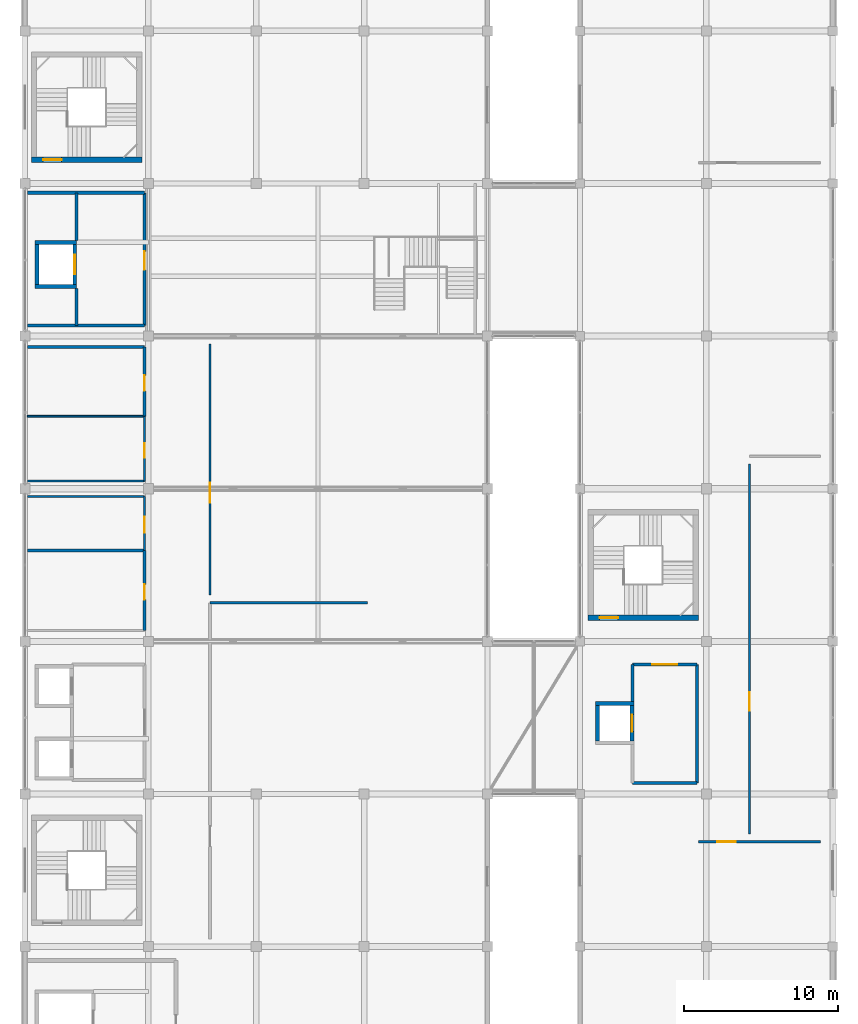
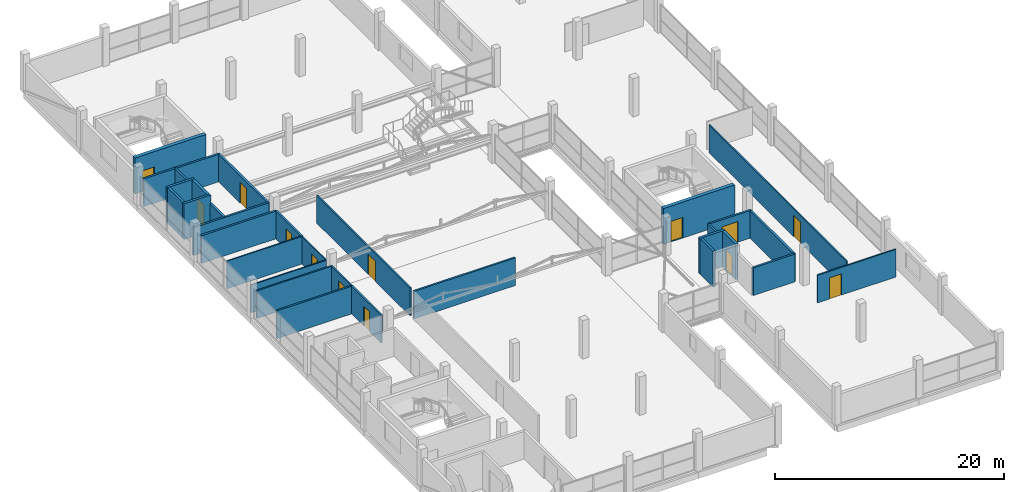
# One storey, part 58 of 70: 31 walls, 13 doors, 13 openings.
"""IFC4 building model written with IfcOpenShell, lengths in metres."""

import ifcopenshell
import ifcopenshell.guid

model = None  # the IFC model being written
_history = None  # IfcOwnerHistory: only IFC2X3 demands one
_inside = {}  # id of a spatial element -> (the spatial element, [elements in it])
_under = {}  # id of a project, library or spatial element -> (it, [spatial elements below it])
_declared = {}  # id of a project -> (the project, [libraries it declares])
_typed = {}  # id of a type object -> (the type object, [elements of that type])
_made_of = {}  # id of a material, layer set ... -> (it, [elements and type objects made of it])


def new_model(schema):
    """Start an empty IFC model of exactly this schema.

    Asked for "IFC4X3", IfcOpenShell would pick the latest addendum, in which some entities
    have other attributes; the version numbers below select the first issue.
    IFC2X3 requires an IfcOwnerHistory on every rooted entity: one is made here for all.
    """
    global model, _history
    if schema == "IFC4X3":
        model = ifcopenshell.file(schema_version=(4, 3, 0, 0))
    else:
        model = ifcopenshell.file(schema=schema)
    _inside.clear()
    _under.clear()
    _declared.clear()
    _typed.clear()
    _made_of.clear()
    _history = None
    if model.schema == "IFC2X3":
        org = make("IfcOrganization", Name="unknown")
        user = make(
            "IfcPersonAndOrganization",
            ThePerson=make("IfcPerson", FamilyName="unknown"),
            TheOrganization=org,
        )
        app = make(
            "IfcApplication",
            ApplicationDeveloper=org,
            Version="unknown",
            ApplicationFullName="unknown",
            ApplicationIdentifier="unknown",
        )
        _history = make(
            "IfcOwnerHistory",
            OwningUser=user,
            OwningApplication=app,
            ChangeAction="ADDED",
            CreationDate=0,
        )
    return model


def make(cls, **values):
    """One entity of the class cls with the attributes given. An attribute that is None is left unset."""
    return model.create_entity(
        cls, **{name: value for name, value in values.items() if value is not None}
    )


def rooted(cls, **values):
    """An entity with a GlobalId (a new one), such as an element, a storey or a relation."""
    return make(cls, GlobalId=ifcopenshell.guid.new(), OwnerHistory=_history, **values)


def si_unit(unit_type, name, prefix=None):
    """IfcSIUnit, for example si_unit("LENGTHUNIT", "METRE", prefix="MILLI")."""
    return make("IfcSIUnit", UnitType=unit_type, Prefix=prefix, Name=name)


def assignment(units):
    """IfcUnitAssignment: the units of a project."""
    return None if units is None else make("IfcUnitAssignment", Units=units)


def point(xyz):
    """IfcCartesianPoint."""
    return None if xyz is None else make("IfcCartesianPoint", Coordinates=xyz)


def direction(xyz):
    """IfcDirection."""
    return None if xyz is None else make("IfcDirection", DirectionRatios=xyz)


def frame(location, z_axis=None, x_axis=None):
    """IfcAxis2Placement3D, a coordinate frame: its origin and axes. An axis left out is left unset."""
    return make(
        "IfcAxis2Placement3D",
        Location=point(location),
        Axis=direction(z_axis),
        RefDirection=direction(x_axis),
    )


def frame_2d(location, x_axis=None):
    """IfcAxis2Placement2D, a coordinate frame in the plane: its origin and x axis."""
    return make(
        "IfcAxis2Placement2D", Location=point(location), RefDirection=direction(x_axis)
    )


def origin():
    """The frame at (0, 0, 0) with its axes left unset."""
    return frame((0.0, 0.0, 0.0))


def place(relative_to, where):
    """IfcLocalPlacement: puts the frame where relative to a parent placement (None: the world)."""
    return make(
        "IfcLocalPlacement", PlacementRelTo=relative_to, RelativePlacement=where
    )


def context(
    kind, dimensions, precision=None, world=None, true_north=None, identifier=None
):
    """IfcGeometricRepresentationContext, for example the 3D "Model" context."""
    return make(
        "IfcGeometricRepresentationContext",
        ContextIdentifier=identifier,
        ContextType=kind,
        CoordinateSpaceDimension=dimensions,
        Precision=precision,
        WorldCoordinateSystem=world,
        TrueNorth=true_north,
    )


def subcontext(parent, identifier, kind, view, scale=None):
    """IfcGeometricRepresentationSubContext, for example "Body" below "Model"."""
    return make(
        "IfcGeometricRepresentationSubContext",
        ContextIdentifier=identifier,
        ContextType=kind,
        ParentContext=parent,
        TargetScale=scale,
        TargetView=view,
    )


def project(units=None, contexts=None):
    """IfcProject with its units and contexts."""
    return rooted(
        "IfcProject",
        Name="project",
        RepresentationContexts=contexts,
        UnitsInContext=assignment(units),
    )


def spatial(cls, under=None, at=None, **own):
    """A site, building, storey or space (cls), placed at a placement, below another one or the project."""
    s = rooted(cls, ObjectPlacement=at, **own)
    if under is not None:
        _under.setdefault(under.id(), (under, []))[1].append(s)
    return s


def profile(cls, at=None, kind="AREA", **sizes):
    """A parametric profile (cls). Its sizes go by their IFC names, for example OverallWidth=200.0."""
    return make(cls, ProfileType=kind, Position=at, **sizes)


def rectangle(**sizes):
    """IfcRectangleProfileDef."""
    return profile("IfcRectangleProfileDef", **sizes)


def extrude(swept, where, along, depth):
    """IfcExtrudedAreaSolid: the profile swept, set in the frame where, extruded along a direction by depth."""
    return make(
        "IfcExtrudedAreaSolid",
        SweptArea=swept,
        Position=where,
        ExtrudedDirection=direction(along),
        Depth=depth,
    )


def shape(context_of_items, identifier, shape_type, items):
    """IfcShapeRepresentation: the items that make up one representation, for example the "Body"."""
    return make(
        "IfcShapeRepresentation",
        ContextOfItems=context_of_items,
        RepresentationIdentifier=identifier,
        RepresentationType=shape_type,
        Items=items,
    )


def material(Name=None, Category=None):
    """IfcMaterial."""
    return make("IfcMaterial", Name=Name, Category=Category)


def layer(
    of_material, thickness, ventilated=None, Name=None, Category=None, Priority=None
):
    """IfcMaterialLayer: one layer of a wall or slab, of a material (None: an air gap)."""
    return make(
        "IfcMaterialLayer",
        Material=of_material,
        LayerThickness=thickness,
        IsVentilated=ventilated,
        Name=Name,
        Category=Category,
        Priority=Priority,
    )


def layer_set(layers, Name=None):
    """IfcMaterialLayerSet."""
    return make("IfcMaterialLayerSet", MaterialLayers=layers, LayerSetName=Name)


def made_of(thing, what):
    """Note that an element or type object is made of a material, layer set ...; save() writes the relation."""
    if what is not None:
        _made_of.setdefault(what.id(), (what, []))[1].append(thing)
    return thing


def type_object(cls, material=None, **own):
    """A type object (cls), such as IfcWallType, which elements share."""
    return made_of(rooted(cls, **own), material)


def element(
    cls,
    number,
    at=None,
    inside=None,
    cuts=None,
    type_object=None,
    material=None,
    context=None,
    identifier="Body",
    shape_type=None,
    held_by="IfcProductDefinitionShape",
    body=None,
    shapes=None,
    **own,
):
    """One element of the class cls, such as IfcWall. Its Tag is "e" and its number.

    at: its placement. inside: the storey or other place that contains it. cuts: it is an
    opening in that element (IfcRelVoidsElement). A single representation is given by context,
    identifier, shape_type and body (its items); several are given by shapes. held_by: the class
    of the entity that holds the representations. save() writes the other relations.
    """
    e = rooted(cls, Tag="e%d" % number, ObjectPlacement=at, **own)
    if body is not None:
        shapes = [shape(context, identifier, shape_type, body)]
    if shapes is not None:
        e.Representation = make(held_by, Representations=shapes)
    if inside is not None:
        _inside.setdefault(inside.id(), (inside, []))[1].append(e)
    if cuts is not None:
        rooted(
            "IfcRelVoidsElement", RelatingBuildingElement=cuts, RelatedOpeningElement=e
        )
    if type_object is not None:
        _typed.setdefault(type_object.id(), (type_object, []))[1].append(e)
    return made_of(e, material)


def fill(opening, filler):
    """IfcRelFillsElement: the door or window that sits in an opening."""
    return rooted(
        "IfcRelFillsElement",
        RelatingOpeningElement=opening,
        RelatedBuildingElement=filler,
    )


def aggregate(whole, parts):
    """IfcRelAggregates: a whole, such as a stair, and the parts it consists of."""
    return rooted("IfcRelAggregates", RelatingObject=whole, RelatedObjects=parts)


def save(model, path):
    """Write the relations noted so far, then the file.

    IfcRelAggregates (storeys below a building ...), IfcRelContainedInSpatialStructure (elements
    in a storey), IfcRelDefinesByType, IfcRelAssociatesMaterial and IfcRelDeclares: one each for
    every whole, place, type object, material and project.
    """
    for whole, parts in _under.values():
        aggregate(whole, parts)
    for where, things in _inside.values():
        rooted(
            "IfcRelContainedInSpatialStructure",
            RelatedElements=things,
            RelatingStructure=where,
        )
    for kind, things in _typed.values():
        rooted("IfcRelDefinesByType", RelatedObjects=things, RelatingType=kind)
    for what, things in _made_of.values():
        rooted("IfcRelAssociatesMaterial", RelatedObjects=things, RelatingMaterial=what)
    for by, libraries in _declared.values():
        rooted("IfcRelDeclares", RelatingContext=by, RelatedDefinitions=libraries)
    model.write(path)


model = new_model("IFC4")

# Units and contexts
model_context = context("Model", 3, precision=1e-05, world=origin(), true_north=direction((0.0, 1.0)))
body_context = subcontext(model_context, "Body", "Model", "MODEL_VIEW")
ifc_project = project(units=[si_unit("LENGTHUNIT", "METRE"), si_unit("AREAUNIT", "SQUARE_METRE"), si_unit("VOLUMEUNIT", "CUBIC_METRE"), si_unit("PLANEANGLEUNIT", "RADIAN"), si_unit("MASSUNIT", "GRAM", prefix="KILO")], contexts=[model_context])

# Site, building, storey
site_placement = place(None, origin())
site = spatial("IfcSite", under=ifc_project, at=site_placement, CompositionType="ELEMENT")
building_placement = place(site_placement, origin())
building = spatial("IfcBuilding", under=site, at=building_placement, Name="Sillaruma Civic Art Gallery", CompositionType="ELEMENT")
storey_placement = place(building_placement, frame((0.0, 0.0, 66.300048828125)))
storey = spatial("IfcBuildingStorey", under=building, at=storey_placement, Name="L13", CompositionType="ELEMENT", Elevation=66.300048828125)

# Wall, opening, door
ifc_material_1 = material(Name="Concrete H40 (40 MPa)", Category="concrete")
ifc_layer_1 = layer(ifc_material_1, 0.35009765625, Name="Concrete H40 (40 MPa)")
ifc_layer_set_1 = layer_set([ifc_layer_1], Name="Concrete H40 (40 MPa)")
wall_type_1 = type_object("IfcWallType", Name="WAL-CORE-350", PredefinedType="SHEAR", material=ifc_layer_set_1)
wall_1_placement = place(storey_placement, frame((62.409912109375, 80.735107421875, 0.0), z_axis=(0.0, 0.0, 1.0), x_axis=(1.0, 0.0, 0.0)))
wall_1 = element("IfcWall", 1, at=wall_1_placement, inside=storey, type_object=wall_type_1, Name="Stair Core Shear Wall W-CORE-350 (ST-02:L13:S)", PredefinedType="SHEAR", context=body_context, shape_type="SweptSolid", body=[
    extrude(rectangle(XDim=7.18017578125, YDim=0.35009765625, at=frame_2d((3.590087890625, 0.0))), origin(), (0.0, 0.0, 1.0), 3.829833984375),
])
opening_1_placement = place(wall_1_placement, frame((0.77001953125, 0.0, 0.0)))
opening_1 = element("IfcOpeningElement", 2, at=opening_1_placement, cuts=wall_1, Name="Opening D-STAIR", PredefinedType="OPENING", context=body_context, shape_type="SweptSolid", body=[
    extrude(rectangle(XDim=1.199951171875, YDim=2.199951171875, at=frame_2d((0.60009765625, 1.10009765625))), frame((0.0, 0.18505859375, 0.0), z_axis=(0.0, -1.0, 0.0), x_axis=(1.0, 0.0, 0.0)), (0.0, 0.0, 1.0), 0.3701171875),
])
ifc_material_2 = material(Name="Galvanised Steel ASTM A653 Gr.50", Category="steel")
door_type_1 = type_object("IfcDoorType", Name="DOR-STAIR-120", OperationType="NOTDEFINED", PredefinedType="DOOR", material=ifc_material_2)
door_1_placement = place(opening_1_placement, origin())
door_1 = element("IfcDoor", 3, at=door_1_placement, inside=storey, type_object=door_type_1, Name="Protected Stair Fire Door (ST-02:L13)", OperationType="SINGLE_SWING_LEFT", OverallHeight=2.199951171875, OverallWidth=1.199951171875, PredefinedType="DOOR", context=body_context, shape_type="SweptSolid", body=[
    extrude(rectangle(XDim=1.199951171875, YDim=2.199951171875, at=frame_2d((0.60009765625, 1.10009765625))), frame((0.0, 0.02490234375, 0.0), z_axis=(0.0, -1.0, 0.0), x_axis=(1.0, 0.0, 0.0)), (0.0, 0.0, 1.0), 0.050048828125),
])
fill(opening_1, door_1)

wall_2_placement = place(storey_placement, frame((98.510009765625, 51.034912109375, 0.0), z_axis=(0.0, 0.0, 1.0), x_axis=(1.0, 0.0, 0.0)))
wall_2 = element("IfcWall", 4, at=wall_2_placement, inside=storey, type_object=wall_type_1, Name="Stair Core Shear Wall W-CORE-350 (ST-04:L13:S)", PredefinedType="SHEAR", context=body_context, shape_type="SweptSolid", body=[
    extrude(rectangle(XDim=7.179931640625, YDim=0.35009765625, at=frame_2d((3.58984375, 0.0))), origin(), (0.0, 0.0, 1.0), 3.829833984375),
])
opening_2_placement = place(wall_2_placement, frame((0.77001953125, 0.0, 0.0)))
opening_2 = element("IfcOpeningElement", 5, at=opening_2_placement, cuts=wall_2, Name="Opening D-STAIR", PredefinedType="OPENING", context=body_context, shape_type="SweptSolid", body=[
    extrude(rectangle(XDim=1.199951171875, YDim=2.199951171875, at=frame_2d((0.60009765625, 1.10009765625))), frame((0.0, 0.18505859375, 0.0), z_axis=(0.0, -1.0, 0.0), x_axis=(1.0, 0.0, 0.0)), (0.0, 0.0, 1.0), 0.3701171875),
])
door_2_placement = place(opening_2_placement, origin())
door_2 = element("IfcDoor", 6, at=door_2_placement, inside=storey, type_object=door_type_1, Name="Protected Stair Fire Door (ST-04:L13)", OperationType="SINGLE_SWING_LEFT", OverallHeight=2.199951171875, OverallWidth=1.199951171875, PredefinedType="DOOR", context=body_context, shape_type="SweptSolid", body=[
    extrude(rectangle(XDim=1.199951171875, YDim=2.199951171875, at=frame_2d((0.60009765625, 1.10009765625))), frame((0.0, 0.02490234375, 0.0), z_axis=(0.0, -1.0, 0.0), x_axis=(1.0, 0.0, 0.0)), (0.0, 0.0, 1.0), 0.050048828125),
])
fill(opening_2, door_2)

# Walls
ifc_material_3 = material(Name="Concrete Masonry Unit Grade M15", Category="masonry")
ifc_layer_2 = layer(ifc_material_3, 0.199951171875, Name="Concrete Masonry Unit Grade M15")
ifc_layer_set_2 = layer_set([ifc_layer_2], Name="Concrete Masonry Unit Grade M15")
wall_type_2 = type_object("IfcWallType", Name="WAL-LOBBY-200", PredefinedType="SOLIDWALL", material=ifc_layer_set_2)
for number, where, z_axis, x_axis, name in (
    (7, (62.14990234375, 70.0, 0.0), (0.0, 0.0, 1.0), (1.0, 0.0, 0.0), "Interior Wall W-LOBBY-200 (L13-FFL)"),
    (8, (62.14990234375, 78.60009765625, 0.0), (0.0, 0.0, 1.0), (1.0, 0.0, 0.0), "Interior Wall W-LOBBY-200 (L13-FFL)"),
):
    element("IfcWall", number, at=place(storey_placement, frame(where, z_axis=z_axis, x_axis=x_axis)), inside=storey, type_object=wall_type_2, Name=name, PredefinedType="SOLIDWALL", context=body_context, shape_type="SweptSolid", body=[
        extrude(rectangle(XDim=7.60009765625, YDim=0.199951171875, at=frame_2d((3.800048828125, 0.0))), origin(), (0.0, 0.0, 1.0), 2.949951171875),
    ])
wall_3_placement = place(storey_placement, frame((65.35009765625, 70.0, 0.0), z_axis=(0.0, 0.0, 1.0), x_axis=(0.0, 1.0, 0.0)))
element("IfcWall", 9, at=wall_3_placement, inside=storey, type_object=wall_type_2, Name="Interior Wall W-LOBBY-200 (L13-FFL)", PredefinedType="SOLIDWALL", context=body_context, shape_type="SweptSolid", body=[
    extrude(rectangle(XDim=2.39990234375, YDim=0.199951171875, at=frame_2d((1.199951171875, 0.0))), origin(), (0.0, 0.0, 1.0), 2.949951171875),
])
wall_4_placement = place(storey_placement, frame((65.35009765625, 75.5, 0.0), z_axis=(0.0, 0.0, 1.0), x_axis=(0.0, 1.0, 0.0)))
element("IfcWall", 10, at=wall_4_placement, inside=storey, type_object=wall_type_2, Name="Interior Wall W-LOBBY-200 (L13-FFL)", PredefinedType="SOLIDWALL", context=body_context, shape_type="SweptSolid", body=[
    extrude(rectangle(XDim=3.10009765625, YDim=0.199951171875, at=frame_2d((1.550048828125, 0.0))), origin(), (0.0, 0.0, 1.0), 2.949951171875),
])

# Wall, opening, door
wall_5_placement = place(storey_placement, frame((69.75, 70.0, 0.0), z_axis=(0.0, 0.0, 1.0), x_axis=(0.0, 1.0, 0.0)))
wall_5 = element("IfcWall", 11, at=wall_5_placement, inside=storey, type_object=wall_type_2, Name="Interior Wall W-LOBBY-200 (L13-FFL)", PredefinedType="SOLIDWALL", context=body_context, shape_type="SweptSolid", body=[
    extrude(rectangle(XDim=8.60009765625, YDim=0.199951171875, at=frame_2d((4.300048828125, 0.0))), origin(), (0.0, 0.0, 1.0), 2.949951171875),
])
opening_3_placement = place(wall_5_placement, frame((3.60009765625, 0.0, 0.0)))
opening_3 = element("IfcOpeningElement", 12, at=opening_3_placement, cuts=wall_5, Name="Opening D-FFL", PredefinedType="OPENING", context=body_context, shape_type="SweptSolid", body=[
    extrude(rectangle(XDim=1.199951171875, YDim=2.25, at=frame_2d((0.60009765625, 1.125))), frame((0.0, 0.10986328125, 0.0), z_axis=(0.0, -1.0, 0.0), x_axis=(1.0, 0.0, 0.0)), (0.0, 0.0, 1.0), 0.219970703125),
])
door_type_2 = type_object("IfcDoorType", Name="DOR-FFL-120", OperationType="NOTDEFINED", PredefinedType="DOOR", material=ifc_material_2)
door_3_placement = place(opening_3_placement, origin())
door_3 = element("IfcDoor", 13, at=door_3_placement, inside=storey, type_object=door_type_2, Name="Firefighting Lobby Door (D-FFL)", OperationType="SINGLE_SWING_RIGHT", OverallHeight=2.25, OverallWidth=1.199951171875, PredefinedType="DOOR", context=body_context, shape_type="SweptSolid", body=[
    extrude(rectangle(XDim=1.199951171875, YDim=2.25, at=frame_2d((0.60009765625, 1.125))), frame((0.0, 0.02490234375, 0.0), z_axis=(0.0, -1.0, 0.0), x_axis=(1.0, 0.0, 0.0)), (0.0, 0.0, 1.0), 0.050048828125),
])
fill(opening_3, door_3)

# Wall
wall_6_placement = place(storey_placement, frame((62.14990234375, 68.60009765625, 0.0), z_axis=(0.0, 0.0, 1.0), x_axis=(1.0, 0.0, 0.0)))
element("IfcWall", 14, at=wall_6_placement, inside=storey, type_object=wall_type_2, Name="Interior Wall W-LOBBY-200 (L13-RSR)", PredefinedType="SOLIDWALL", context=body_context, shape_type="SweptSolid", body=[
    extrude(rectangle(XDim=7.60009765625, YDim=0.199951171875, at=frame_2d((3.800048828125, 0.0))), origin(), (0.0, 0.0, 1.0), 2.949951171875),
])

# Wall, opening, door
wall_7_placement = place(storey_placement, frame((69.75, 64.10009765625, 0.0), z_axis=(0.0, 0.0, 1.0), x_axis=(0.0, 1.0, 0.0)))
wall_7 = element("IfcWall", 15, at=wall_7_placement, inside=storey, type_object=wall_type_2, Name="Interior Wall W-LOBBY-200 (L13-RSR)", PredefinedType="SOLIDWALL", context=body_context, shape_type="SweptSolid", body=[
    extrude(rectangle(XDim=4.5, YDim=0.199951171875, at=frame_2d((2.25, 0.0))), origin(), (0.0, 0.0, 1.0), 2.949951171875),
])
opening_4_placement = place(wall_7_placement, frame((1.64990234375, 0.0, 0.0)))
opening_4 = element("IfcOpeningElement", 16, at=opening_4_placement, cuts=wall_7, Name="Opening D-RISER", PredefinedType="OPENING", context=body_context, shape_type="SweptSolid", body=[
    extrude(rectangle(XDim=1.0, YDim=2.14990234375, at=frame_2d((0.5, 1.074951171875))), frame((0.0, 0.10986328125, 0.0), z_axis=(0.0, -1.0, 0.0), x_axis=(1.0, 0.0, 0.0)), (0.0, 0.0, 1.0), 0.219970703125),
])
door_type_3 = type_object("IfcDoorType", Name="DOR-RISER-100", OperationType="NOTDEFINED", PredefinedType="DOOR", material=ifc_material_2)
door_4_placement = place(opening_4_placement, origin())
door_4 = element("IfcDoor", 17, at=door_4_placement, inside=storey, type_object=door_type_3, Name="MEP Service Riser Door (D-RISER)", OperationType="SINGLE_SWING_RIGHT", OverallHeight=2.14990234375, OverallWidth=1.0, PredefinedType="DOOR", context=body_context, shape_type="SweptSolid", body=[
    extrude(rectangle(XDim=1.0, YDim=2.14990234375, at=frame_2d((0.5, 1.074951171875))), frame((0.0, 0.02490234375, 0.0), z_axis=(0.0, -1.0, 0.0), x_axis=(1.0, 0.0, 0.0)), (0.0, 0.0, 1.0), 0.050048828125),
])
fill(opening_4, door_4)

# Walls
wall_8_placement = place(storey_placement, frame((101.39990234375, 40.300048828125, 0.0), z_axis=(0.0, 0.0, 1.0), x_axis=(1.0, 0.0, 0.0)))
element("IfcWall", 18, at=wall_8_placement, inside=storey, type_object=wall_type_2, Name="Interior Wall W-LOBBY-200 (L13-LLE)", PredefinedType="SOLIDWALL", context=body_context, shape_type="SweptSolid", body=[
    extrude(rectangle(XDim=4.2001953125, YDim=0.199951171875, at=frame_2d((2.10009765625, 0.0))), origin(), (0.0, 0.0, 1.0), 2.949951171875),
])
wall_9_placement = place(storey_placement, frame((101.39990234375, 45.60009765625, 0.0), z_axis=(0.0, 0.0, 1.0), x_axis=(0.0, 1.0, 0.0)))
element("IfcWall", 19, at=wall_9_placement, inside=storey, type_object=wall_type_2, Name="Interior Wall W-LOBBY-200 (L13-LLE)", PredefinedType="SOLIDWALL", context=body_context, shape_type="SweptSolid", body=[
    extrude(rectangle(XDim=2.39990234375, YDim=0.199951171875, at=frame_2d((1.199951171875, 0.0))), origin(), (0.0, 0.0, 1.0), 2.949951171875),
])
wall_10_placement = place(storey_placement, frame((105.60009765625, 40.300048828125, 0.0), z_axis=(0.0, 0.0, 1.0), x_axis=(0.0, 1.0, 0.0)))
element("IfcWall", 20, at=wall_10_placement, inside=storey, type_object=wall_type_2, Name="Interior Wall W-LOBBY-200 (L13-LLE)", PredefinedType="SOLIDWALL", context=body_context, shape_type="SweptSolid", body=[
    extrude(rectangle(XDim=7.699951171875, YDim=0.199951171875, at=frame_2d((3.85009765625, 0.0))), origin(), (0.0, 0.0, 1.0), 2.949951171875),
])

# Wall, opening, door
wall_11_placement = place(storey_placement, frame((101.39990234375, 48.0, 0.0), z_axis=(0.0, 0.0, 1.0), x_axis=(1.0, 0.0, 0.0)))
wall_11 = element("IfcWall", 21, at=wall_11_placement, inside=storey, type_object=wall_type_2, Name="Interior Wall W-LOBBY-200 (L13-LLE)", PredefinedType="SOLIDWALL", context=body_context, shape_type="SweptSolid", body=[
    extrude(rectangle(XDim=4.2001953125, YDim=0.199951171875, at=frame_2d((2.10009765625, 0.0))), origin(), (0.0, 0.0, 1.0), 2.949951171875),
])
opening_5_placement = place(wall_11_placement, frame((1.300048828125, 0.0, 0.0)))
opening_5 = element("IfcOpeningElement", 22, at=opening_5_placement, cuts=wall_11, Name="Opening D-LOBBY", PredefinedType="OPENING", context=body_context, shape_type="SweptSolid", body=[
    extrude(rectangle(XDim=1.60009765625, YDim=2.199951171875, at=frame_2d((0.800048828125, 1.10009765625))), frame((0.0, 0.10986328125, 0.0), z_axis=(0.0, -1.0, 0.0), x_axis=(1.0, 0.0, 0.0)), (0.0, 0.0, 1.0), 0.219970703125),
])
ifc_material_4 = material(Name="Thermally Broken Extruded Aluminium 6063-T6", Category="aluminium")
door_type_4 = type_object("IfcDoorType", Name="DOR-LOBBY-160", OperationType="NOTDEFINED", PredefinedType="DOOR", material=ifc_material_4)
door_5_placement = place(opening_5_placement, origin())
door_5 = element("IfcDoor", 23, at=door_5_placement, inside=storey, type_object=door_type_4, Name="East Lift Lobby Door (D-LOBBY)", OperationType="DOUBLE_DOOR_SINGLE_SWING", OverallHeight=2.199951171875, OverallWidth=1.60009765625, PredefinedType="DOOR", context=body_context, shape_type="SweptSolid", body=[
    extrude(rectangle(XDim=1.60009765625, YDim=2.199951171875, at=frame_2d((0.800048828125, 1.10009765625))), frame((0.0, 0.02490234375, 0.0), z_axis=(0.0, -1.0, 0.0), x_axis=(1.0, 0.0, 0.0)), (0.0, 0.0, 1.0), 0.050048828125),
])
fill(opening_5, door_5)

ifc_material_5 = material(Name="Gypsum Acoustic Board", Category="gypsum")
ifc_layer_3 = layer(ifc_material_5, 0.02490234375, Name="Finish board", Category="gypsum")
ifc_material_6 = material(Name="Mineral Wool Thermal Insulation", Category="insulation")
ifc_layer_4 = layer(ifc_material_6, 0.06005859375, Name="Acoustic core", Category="insulation")
ifc_material_7 = material(Name="Andean Oak Timber", Category="wood")
ifc_layer_5 = layer(ifc_material_7, 0.02490234375, Name="Gallery lining", Category="wood")
ifc_layer_set_3 = layer_set([ifc_layer_3, ifc_layer_4, ifc_layer_5], Name="W-PT-110")
wall_type_3 = type_object("IfcWallType", Name="WAL-PART-110", PredefinedType="PARTITIONING", material=ifc_layer_set_3)
wall_12_placement = place(storey_placement, frame((69.75, 59.89990234375, 0.0), z_axis=(0.0, 0.0, 1.0), x_axis=(0.0, 1.0, 0.0)))
wall_12 = element("IfcWall", 24, at=wall_12_placement, inside=storey, type_object=wall_type_3, Name="Interior Wall W-PT-110 (L13-CLN)", PredefinedType="PARTITIONING", context=body_context, shape_type="SweptSolid", body=[
    extrude(rectangle(XDim=4.2001953125, YDim=0.110107421875, at=frame_2d((2.10009765625, 0.0))), origin(), (0.0, 0.0, 1.0), 2.949951171875),
])
opening_6_placement = place(wall_12_placement, frame((1.5, 0.0, 0.0)))
opening_6 = element("IfcOpeningElement", 25, at=opening_6_placement, cuts=wall_12, Name="Opening D-SVC09", PredefinedType="OPENING", context=body_context, shape_type="SweptSolid", body=[
    extrude(rectangle(XDim=0.949951171875, YDim=2.10009765625, at=frame_2d((0.47509765625, 1.050048828125))), frame((0.0, 0.06494140625, 0.0), z_axis=(0.0, -1.0, 0.0), x_axis=(1.0, 0.0, 0.0)), (0.0, 0.0, 1.0), 0.130126953125),
])
door_type_5 = type_object("IfcDoorType", Name="DOR-SVC-095", OperationType="NOTDEFINED", PredefinedType="DOOR", material=ifc_material_7)
door_6_placement = place(opening_6_placement, origin())
door_6 = element("IfcDoor", 26, at=door_6_placement, inside=storey, type_object=door_type_5, Name="Cleaner Store Door (D-SVC09)", OperationType="SINGLE_SWING_LEFT", OverallHeight=2.10009765625, OverallWidth=0.949951171875, PredefinedType="DOOR", context=body_context, shape_type="SweptSolid", body=[
    extrude(rectangle(XDim=0.949951171875, YDim=2.10009765625, at=frame_2d((0.47509765625, 1.050048828125))), frame((0.0, 0.02490234375, 0.0), z_axis=(0.0, -1.0, 0.0), x_axis=(1.0, 0.0, 0.0)), (0.0, 0.0, 1.0), 0.050048828125),
])
fill(opening_6, door_6)

# Walls
ifc_layer_6 = layer(ifc_material_5, 0.02490234375, Name="Finish board", Category="gypsum")
ifc_layer_7 = layer(ifc_material_6, 0.070068359375, Name="Acoustic core", Category="insulation")
ifc_layer_8 = layer(ifc_material_7, 0.02490234375, Name="Gallery lining", Category="wood")
ifc_layer_set_4 = layer_set([ifc_layer_6, ifc_layer_7, ifc_layer_8], Name="W-PT-120")
wall_type_4 = type_object("IfcWallType", Name="WAL-PART-120", PredefinedType="PARTITIONING", material=ifc_layer_set_4)
wall_13_placement = place(storey_placement, frame((62.14990234375, 64.10009765625, 0.0), z_axis=(0.0, 0.0, 1.0), x_axis=(1.0, 0.0, 0.0)))
element("IfcWall", 27, at=wall_13_placement, inside=storey, type_object=wall_type_4, Name="Interior Wall W-PT-120 (L13-CLN)", PredefinedType="PARTITIONING", context=body_context, shape_type="SweptSolid", body=[
    extrude(rectangle(XDim=7.60009765625, YDim=0.1201171875, at=frame_2d((3.800048828125, 0.0))), origin(), (0.0, 0.0, 1.0), 2.949951171875),
])
ifc_layer_9 = layer(ifc_material_5, 0.02490234375, Name="Finish board", Category="gypsum")
ifc_layer_10 = layer(ifc_material_6, 0.080078125, Name="Acoustic core", Category="insulation")
ifc_layer_11 = layer(ifc_material_7, 0.02490234375, Name="Gallery lining", Category="wood")
ifc_layer_set_5 = layer_set([ifc_layer_9, ifc_layer_10, ifc_layer_11], Name="W-PT-130")
wall_type_5 = type_object("IfcWallType", Name="WAL-PART-130", PredefinedType="PARTITIONING", material=ifc_layer_set_5)
wall_14_placement = place(storey_placement, frame((62.14990234375, 59.89990234375, 0.0), z_axis=(0.0, 0.0, 1.0), x_axis=(1.0, 0.0, 0.0)))
element("IfcWall", 28, at=wall_14_placement, inside=storey, type_object=wall_type_5, Name="Interior Wall W-PT-130 (L13-CLN)", PredefinedType="PARTITIONING", context=body_context, shape_type="SweptSolid", body=[
    extrude(rectangle(XDim=7.60009765625, YDim=0.1298828125, at=frame_2d((3.800048828125, 0.0))), origin(), (0.0, 0.0, 1.0), 2.949951171875),
])

# Wall, opening, door
wall_15_placement = place(storey_placement, frame((109.0, 37.0, 0.0), z_axis=(0.0, 0.0, 1.0), x_axis=(0.0, 1.0, 0.0)))
wall_15 = element("IfcWall", 29, at=wall_15_placement, inside=storey, type_object=wall_type_5, Name="Interior Wall W-PT-130 (L13-STDE2)", PredefinedType="PARTITIONING", context=body_context, shape_type="SweptSolid", body=[
    extrude(rectangle(XDim=24.0, YDim=0.1298828125, at=frame_2d((12.0, 0.0))), origin(), (0.0, 0.0, 1.0), 2.949951171875),
])
opening_7_placement = place(wall_15_placement, frame((8.0, 0.0, 0.0)))
opening_7 = element("IfcOpeningElement", 30, at=opening_7_placement, cuts=wall_15, Name="Opening D-STD12", PredefinedType="OPENING", context=body_context, shape_type="SweptSolid", body=[
    extrude(rectangle(XDim=1.199951171875, YDim=2.25, at=frame_2d((0.60009765625, 1.125))), frame((0.0, 0.074951171875, 0.0), z_axis=(0.0, -1.0, 0.0), x_axis=(1.0, 0.0, 0.0)), (0.0, 0.0, 1.0), 0.14990234375),
])
door_type_6 = type_object("IfcDoorType", Name="DOR-STD-120", OperationType="NOTDEFINED", PredefinedType="DOOR", material=ifc_material_7)
door_7_placement = place(opening_7_placement, origin())
door_7 = element("IfcDoor", 31, at=door_7_placement, inside=storey, type_object=door_type_6, Name="East Wing Central Artist Studio (L13) Door (D-STD12)", OperationType="SINGLE_SWING_RIGHT", OverallHeight=2.25, OverallWidth=1.199951171875, PredefinedType="DOOR", context=body_context, shape_type="SweptSolid", body=[
    extrude(rectangle(XDim=1.199951171875, YDim=2.25, at=frame_2d((0.60009765625, 1.125))), frame((0.0, 0.02490234375, 0.0), z_axis=(0.0, -1.0, 0.0), x_axis=(1.0, 0.0, 0.0)), (0.0, 0.0, 1.0), 0.050048828125),
])
fill(opening_7, door_7)

ifc_layer_12 = layer(ifc_material_5, 0.02490234375, Name="Finish board", Category="gypsum")
ifc_layer_13 = layer(ifc_material_6, 0.090087890625, Name="Acoustic core", Category="insulation")
ifc_layer_14 = layer(ifc_material_7, 0.02490234375, Name="Gallery lining", Category="wood")
ifc_layer_set_6 = layer_set([ifc_layer_12, ifc_layer_13, ifc_layer_14], Name="W-PT-140")
wall_type_6 = type_object("IfcWallType", Name="WAL-PART-140", PredefinedType="PARTITIONING", material=ifc_layer_set_6)
wall_16_placement = place(storey_placement, frame((69.75, 55.39990234375, 0.0), z_axis=(0.0, 0.0, 1.0), x_axis=(0.0, 1.0, 0.0)))
wall_16 = element("IfcWall", 32, at=wall_16_placement, inside=storey, type_object=wall_type_6, Name="Interior Wall W-PT-140 (L13-WCA)", PredefinedType="PARTITIONING", context=body_context, shape_type="SweptSolid", body=[
    extrude(rectangle(XDim=3.5, YDim=0.139892578125, at=frame_2d((1.75, 0.0))), origin(), (0.0, 0.0, 1.0), 2.949951171875),
])
opening_8_placement = place(wall_16_placement, frame((1.14990234375, 0.0, 0.0)))
opening_8 = element("IfcOpeningElement", 33, at=opening_8_placement, cuts=wall_16, Name="Opening D-AWC10", PredefinedType="OPENING", context=body_context, shape_type="SweptSolid", body=[
    extrude(rectangle(XDim=1.050048828125, YDim=2.14990234375, at=frame_2d((0.52490234375, 1.074951171875))), frame((0.0, 0.079833984375, 0.0), z_axis=(0.0, -1.0, 0.0), x_axis=(1.0, 0.0, 0.0)), (0.0, 0.0, 1.0), 0.159912109375),
])
door_type_7 = type_object("IfcDoorType", Name="DOR-AWC-105", OperationType="NOTDEFINED", PredefinedType="DOOR", material=ifc_material_7)
door_8_placement = place(opening_8_placement, origin())
door_8 = element("IfcDoor", 34, at=door_8_placement, inside=storey, type_object=door_type_7, Name="Accessible WC Door (D-AWC10)", OperationType="SINGLE_SWING_RIGHT", OverallHeight=2.14990234375, OverallWidth=1.050048828125, PredefinedType="DOOR", context=body_context, shape_type="SweptSolid", body=[
    extrude(rectangle(XDim=1.050048828125, YDim=2.14990234375, at=frame_2d((0.52490234375, 1.074951171875))), frame((0.0, 0.02490234375, 0.0), z_axis=(0.0, -1.0, 0.0), x_axis=(1.0, 0.0, 0.0)), (0.0, 0.0, 1.0), 0.050048828125),
])
fill(opening_8, door_8)

wall_17_placement = place(storey_placement, frame((105.699951171875, 36.5, 0.0), z_axis=(0.0, 0.0, 1.0), x_axis=(1.0, 0.0, 0.0)))
wall_17 = element("IfcWall", 35, at=wall_17_placement, inside=storey, type_object=wall_type_6, Name="Interior Wall W-PT-140 (L13-STDE1)", PredefinedType="PARTITIONING", context=body_context, shape_type="SweptSolid", body=[
    extrude(rectangle(XDim=7.900146484375, YDim=0.139892578125, at=frame_2d((3.9501953125, 0.0))), origin(), (0.0, 0.0, 1.0), 2.949951171875),
])
opening_9_placement = place(wall_17_placement, frame((1.199951171875, 0.0, 0.0)))
opening_9 = element("IfcOpeningElement", 36, at=opening_9_placement, cuts=wall_17, Name="Opening D-STD12", PredefinedType="OPENING", context=body_context, shape_type="SweptSolid", body=[
    extrude(rectangle(XDim=1.199951171875, YDim=2.25, at=frame_2d((0.60009765625, 1.125))), frame((0.0, 0.079833984375, 0.0), z_axis=(0.0, -1.0, 0.0), x_axis=(1.0, 0.0, 0.0)), (0.0, 0.0, 1.0), 0.159912109375),
])
door_9_placement = place(opening_9_placement, origin())
door_9 = element("IfcDoor", 37, at=door_9_placement, inside=storey, type_object=door_type_6, Name="East Wing South Artist Studio (L13) Door (D-STD12)", OperationType="SINGLE_SWING_LEFT", OverallHeight=2.25, OverallWidth=1.199951171875, PredefinedType="DOOR", context=body_context, shape_type="SweptSolid", body=[
    extrude(rectangle(XDim=1.199951171875, YDim=2.25, at=frame_2d((0.60009765625, 1.125))), frame((0.0, 0.02490234375, 0.0), z_axis=(0.0, -1.0, 0.0), x_axis=(1.0, 0.0, 0.0)), (0.0, 0.0, 1.0), 0.050048828125),
])
fill(opening_9, door_9)

# Wall
ifc_layer_15 = layer(ifc_material_5, 0.02490234375, Name="Finish board", Category="gypsum")
ifc_layer_16 = layer(ifc_material_6, 0.10009765625, Name="Acoustic core", Category="insulation")
ifc_layer_17 = layer(ifc_material_7, 0.02490234375, Name="Gallery lining", Category="wood")
ifc_layer_set_7 = layer_set([ifc_layer_15, ifc_layer_16, ifc_layer_17], Name="W-PT-150")
wall_type_7 = type_object("IfcWallType", Name="WAL-PART-150", PredefinedType="PARTITIONING", material=ifc_layer_set_7)
wall_18_placement = place(storey_placement, frame((62.14990234375, 58.89990234375, 0.0), z_axis=(0.0, 0.0, 1.0), x_axis=(1.0, 0.0, 0.0)))
element("IfcWall", 38, at=wall_18_placement, inside=storey, type_object=wall_type_7, Name="Interior Wall W-PT-150 (L13-WCA)", PredefinedType="PARTITIONING", context=body_context, shape_type="SweptSolid", body=[
    extrude(rectangle(XDim=7.60009765625, YDim=0.14990234375, at=frame_2d((3.800048828125, 0.0))), origin(), (0.0, 0.0, 1.0), 2.949951171875),
])

# Wall, opening, door
wall_19_placement = place(storey_placement, frame((74.0, 52.5, 0.0), z_axis=(0.0, 0.0, 1.0), x_axis=(0.0, 1.0, 0.0)))
wall_19 = element("IfcWall", 39, at=wall_19_placement, inside=storey, type_object=wall_type_7, Name="Interior Wall W-PT-150 (L13-CUR13A)", PredefinedType="PARTITIONING", context=body_context, shape_type="SweptSolid", body=[
    extrude(rectangle(XDim=16.300048828125, YDim=0.14990234375, at=frame_2d((8.14990234375, 0.0))), origin(), (0.0, 0.0, 1.0), 2.949951171875),
])
opening_10_placement = place(wall_19_placement, frame((6.0, 0.0, 0.0)))
opening_10 = element("IfcOpeningElement", 40, at=opening_10_placement, cuts=wall_19, Name="Opening D-INT13", PredefinedType="OPENING", context=body_context, shape_type="SweptSolid", body=[
    extrude(rectangle(XDim=1.300048828125, YDim=2.14990234375, at=frame_2d((0.64990234375, 1.074951171875))), frame((0.0, 0.0849609375, 0.0), z_axis=(0.0, -1.0, 0.0), x_axis=(1.0, 0.0, 0.0)), (0.0, 0.0, 1.0), 0.169921875),
])
door_type_8 = type_object("IfcDoorType", Name="DOR-INT-130", OperationType="NOTDEFINED", PredefinedType="DOOR", material=ifc_material_7)
door_10_placement = place(opening_10_placement, origin())
door_10 = element("IfcDoor", 41, at=door_10_placement, inside=storey, type_object=door_type_8, Name="Senior Curatorial Research Office Door (D-INT13)", OperationType="SINGLE_SWING_RIGHT", OverallHeight=2.14990234375, OverallWidth=1.300048828125, PredefinedType="DOOR", context=body_context, shape_type="SweptSolid", body=[
    extrude(rectangle(XDim=1.300048828125, YDim=2.14990234375, at=frame_2d((0.64990234375, 1.074951171875))), frame((0.0, 0.02490234375, 0.0), z_axis=(0.0, -1.0, 0.0), x_axis=(1.0, 0.0, 0.0)), (0.0, 0.0, 1.0), 0.050048828125),
])
fill(opening_10, door_10)

ifc_layer_18 = layer(ifc_material_5, 0.02490234375, Name="Finish board", Category="gypsum")
ifc_layer_19 = layer(ifc_material_6, 0.114990234375, Name="Acoustic core", Category="insulation")
ifc_layer_20 = layer(ifc_material_7, 0.02490234375, Name="Gallery lining", Category="wood")
ifc_layer_set_8 = layer_set([ifc_layer_18, ifc_layer_19, ifc_layer_20], Name="W-PT-165")
wall_type_8 = type_object("IfcWallType", Name="WAL-PART-165", PredefinedType="PARTITIONING", material=ifc_layer_set_8)
wall_20_placement = place(storey_placement, frame((69.75, 50.199951171875, 0.0), z_axis=(0.0, 0.0, 1.0), x_axis=(0.0, 1.0, 0.0)))
wall_20 = element("IfcWall", 42, at=wall_20_placement, inside=storey, type_object=wall_type_8, Name="Interior Wall W-PT-165 (L13-WC1)", PredefinedType="PARTITIONING", context=body_context, shape_type="SweptSolid", body=[
    extrude(rectangle(XDim=5.199951171875, YDim=0.1650390625, at=frame_2d((2.60009765625, 0.0))), origin(), (0.0, 0.0, 1.0), 2.949951171875),
])
opening_11_placement = place(wall_20_placement, frame((2.0, 0.0, 0.0)))
opening_11 = element("IfcOpeningElement", 43, at=opening_11_placement, cuts=wall_20, Name="Opening D-WC10", PredefinedType="OPENING", context=body_context, shape_type="SweptSolid", body=[
    extrude(rectangle(XDim=1.0, YDim=2.10009765625, at=frame_2d((0.5, 1.050048828125))), frame((0.0, 0.092529296875, 0.0), z_axis=(0.0, -1.0, 0.0), x_axis=(1.0, 0.0, 0.0)), (0.0, 0.0, 1.0), 0.18505859375),
])
door_type_9 = type_object("IfcDoorType", Name="DOR-WC-100", OperationType="NOTDEFINED", PredefinedType="DOOR", material=ifc_material_7)
door_11_placement = place(opening_11_placement, origin())
door_11 = element("IfcDoor", 44, at=door_11_placement, inside=storey, type_object=door_type_9, Name="Public WC Door (D-WC10)", OperationType="SINGLE_SWING_LEFT", OverallHeight=2.10009765625, OverallWidth=1.0, PredefinedType="DOOR", context=body_context, shape_type="SweptSolid", body=[
    extrude(rectangle(XDim=1.0, YDim=2.10009765625, at=frame_2d((0.5, 1.050048828125))), frame((0.0, 0.02490234375, 0.0), z_axis=(0.0, -1.0, 0.0), x_axis=(1.0, 0.0, 0.0)), (0.0, 0.0, 1.0), 0.050048828125),
])
fill(opening_11, door_11)

# Walls
ifc_layer_21 = layer(ifc_material_5, 0.02490234375, Name="Finish board", Category="gypsum")
ifc_layer_22 = layer(ifc_material_6, 0.1298828125, Name="Acoustic core", Category="insulation")
ifc_layer_23 = layer(ifc_material_7, 0.02490234375, Name="Gallery lining", Category="wood")
ifc_layer_set_9 = layer_set([ifc_layer_21, ifc_layer_22, ifc_layer_23], Name="W-PT-180")
wall_type_9 = type_object("IfcWallType", Name="WAL-PART-180", PredefinedType="PARTITIONING", material=ifc_layer_set_9)
wall_21_placement = place(storey_placement, frame((62.14990234375, 55.39990234375, 0.0), z_axis=(0.0, 0.0, 1.0), x_axis=(1.0, 0.0, 0.0)))
element("IfcWall", 45, at=wall_21_placement, inside=storey, type_object=wall_type_9, Name="Interior Wall W-PT-180 (L13-WC1)", PredefinedType="PARTITIONING", context=body_context, shape_type="SweptSolid", body=[
    extrude(rectangle(XDim=7.60009765625, YDim=0.179931640625, at=frame_2d((3.800048828125, 0.0))), origin(), (0.0, 0.0, 1.0), 2.949951171875),
])
wall_22_placement = place(storey_placement, frame((74.0, 52.0, 0.0), z_axis=(0.0, 0.0, 1.0), x_axis=(1.0, 0.0, 0.0)))
element("IfcWall", 46, at=wall_22_placement, inside=storey, type_object=wall_type_9, Name="Interior Wall W-PT-180 (L13-STD13A)", PredefinedType="PARTITIONING", context=body_context, shape_type="SweptSolid", body=[
    extrude(rectangle(XDim=10.199951171875, YDim=0.179931640625, at=frame_2d((5.10009765625, 0.0))), origin(), (0.0, 0.0, 1.0), 2.949951171875),
])
ifc_layer_24 = layer(ifc_material_1, 0.25, Name="Concrete H40 (40 MPa)")
ifc_layer_set_10 = layer_set([ifc_layer_24], Name="Concrete H40 (40 MPa)")
wall_type_10 = type_object("IfcWallType", Name="WAL-SHAFT-250", PredefinedType="SOLIDWALL", material=ifc_layer_set_10)
wall_23_placement = place(storey_placement, frame((99.0, 45.47509765625, 0.0), z_axis=(0.0, 0.0, 1.0), x_axis=(1.0, 0.0, 0.0)))
element("IfcWall", 47, at=wall_23_placement, inside=storey, type_object=wall_type_10, Name="Lift Shaft Wall W-SHAFT-250 (PL-03:L13:N)", PredefinedType="SOLIDWALL", context=body_context, shape_type="SweptSolid", body=[
    extrude(rectangle(XDim=2.5, YDim=0.25, at=frame_2d((1.25, 0.0))), origin(), (0.0, 0.0, 1.0), 3.81005859375),
])
wall_24_placement = place(storey_placement, frame((99.125, 43.050048828125, 0.0), z_axis=(0.0, 0.0, 1.0), x_axis=(0.0, 1.0, 0.0)))
element("IfcWall", 48, at=wall_24_placement, inside=storey, type_object=wall_type_10, Name="Lift Shaft Wall W-SHAFT-250 (PL-03:L13:W)", PredefinedType="SOLIDWALL", context=body_context, shape_type="SweptSolid", body=[
    extrude(rectangle(XDim=2.300048828125, YDim=0.25, at=frame_2d((1.14990234375, 0.0))), origin(), (0.0, 0.0, 1.0), 3.81005859375),
])

# Wall, opening, door
wall_25_placement = place(storey_placement, frame((101.375, 43.050048828125, 0.0), z_axis=(0.0, 0.0, 1.0), x_axis=(0.0, 1.0, 0.0)))
wall_25 = element("IfcWall", 49, at=wall_25_placement, inside=storey, type_object=wall_type_10, Name="Lift Shaft Wall W-SHAFT-250 (PL-03:L13:E)", PredefinedType="SOLIDWALL", context=body_context, shape_type="SweptSolid", body=[
    extrude(rectangle(XDim=2.300048828125, YDim=0.25, at=frame_2d((1.14990234375, 0.0))), origin(), (0.0, 0.0, 1.0), 3.81005859375),
])
opening_12_placement = place(wall_25_placement, frame((0.60009765625, 0.0, 0.0)))
opening_12 = element("IfcOpeningElement", 50, at=opening_12_placement, cuts=wall_25, Name="Opening LD-01", PredefinedType="OPENING", context=body_context, shape_type="SweptSolid", body=[
    extrude(rectangle(XDim=1.10009765625, YDim=2.199951171875, at=frame_2d((0.550048828125, 1.10009765625))), frame((0.0, 0.135009765625, 0.0), z_axis=(0.0, -1.0, 0.0), x_axis=(1.0, 0.0, 0.0)), (0.0, 0.0, 1.0), 0.27001953125),
])
door_type_10 = type_object("IfcDoorType", Name="DOR-LD-01", OperationType="NOTDEFINED", PredefinedType="DOOR", material=ifc_material_2)
door_12_placement = place(opening_12_placement, origin())
door_12 = element("IfcDoor", 51, at=door_12_placement, inside=storey, type_object=door_type_10, Name="Lift Sliding Landing Door LD-01 (PL-03:L13)", OperationType="DOUBLE_DOOR_SLIDING", OverallHeight=2.199951171875, OverallWidth=1.10009765625, PredefinedType="DOOR", context=body_context, shape_type="SweptSolid", body=[
    extrude(rectangle(XDim=1.10009765625, YDim=2.199951171875, at=frame_2d((0.550048828125, 1.10009765625))), frame((0.0, 0.02490234375, 0.0), z_axis=(0.0, -1.0, 0.0), x_axis=(1.0, 0.0, 0.0)), (0.0, 0.0, 1.0), 0.050048828125),
])
fill(opening_12, door_12)

# Walls
for number, where, z_axis, x_axis, name in (
    (52, (62.64990234375, 72.52490234375, 0.0), (0.0, 0.0, 1.0), (1.0, 0.0, 0.0), "Lift Shaft Wall W-SHAFT-250 (FFL-01:L13:S)"),
    (53, (62.64990234375, 75.375, 0.0), (0.0, 0.0, 1.0), (1.0, 0.0, 0.0), "Lift Shaft Wall W-SHAFT-250 (FFL-01:L13:N)"),
):
    element("IfcWall", number, at=place(storey_placement, frame(where, z_axis=z_axis, x_axis=x_axis)), inside=storey, type_object=wall_type_10, Name=name, PredefinedType="SOLIDWALL", context=body_context, shape_type="SweptSolid", body=[
        extrude(rectangle(XDim=2.7001953125, YDim=0.25, at=frame_2d((1.35009765625, 0.0))), origin(), (0.0, 0.0, 1.0), 3.81005859375),
    ])
wall_26_placement = place(storey_placement, frame((62.77490234375, 72.64990234375, 0.0), z_axis=(0.0, 0.0, 1.0), x_axis=(0.0, 1.0, 0.0)))
element("IfcWall", 54, at=wall_26_placement, inside=storey, type_object=wall_type_10, Name="Lift Shaft Wall W-SHAFT-250 (FFL-01:L13:W)", PredefinedType="SOLIDWALL", context=body_context, shape_type="SweptSolid", body=[
    extrude(rectangle(XDim=2.60009765625, YDim=0.25, at=frame_2d((1.300048828125, 0.0))), origin(), (0.0, 0.0, 1.0), 3.81005859375),
])

# Wall, opening, door
wall_27_placement = place(storey_placement, frame((65.22509765625, 72.64990234375, 0.0), z_axis=(0.0, 0.0, 1.0), x_axis=(0.0, 1.0, 0.0)))
wall_27 = element("IfcWall", 55, at=wall_27_placement, inside=storey, type_object=wall_type_10, Name="Lift Shaft Wall W-SHAFT-250 (FFL-01:L13:E)", PredefinedType="SOLIDWALL", context=body_context, shape_type="SweptSolid", body=[
    extrude(rectangle(XDim=2.60009765625, YDim=0.25, at=frame_2d((1.300048828125, 0.0))), origin(), (0.0, 0.0, 1.0), 3.81005859375),
])
opening_13_placement = place(wall_27_placement, frame((0.675048828125, 0.0, 0.0)))
opening_13 = element("IfcOpeningElement", 56, at=opening_13_placement, cuts=wall_27, Name="Opening LD-02", PredefinedType="OPENING", context=body_context, shape_type="SweptSolid", body=[
    extrude(rectangle(XDim=1.25, YDim=2.199951171875, at=frame_2d((0.625, 1.10009765625))), frame((0.0, 0.135009765625, 0.0), z_axis=(0.0, -1.0, 0.0), x_axis=(1.0, 0.0, 0.0)), (0.0, 0.0, 1.0), 0.27001953125),
])
door_type_11 = type_object("IfcDoorType", Name="DOR-LD-02", OperationType="NOTDEFINED", PredefinedType="DOOR", material=ifc_material_2)
door_13_placement = place(opening_13_placement, origin())
door_13 = element("IfcDoor", 57, at=door_13_placement, inside=storey, type_object=door_type_11, Name="Lift Sliding Landing Door LD-02 (FFL-01:L13)", OperationType="DOUBLE_DOOR_SLIDING", OverallHeight=2.199951171875, OverallWidth=1.25, PredefinedType="DOOR", context=body_context, shape_type="SweptSolid", body=[
    extrude(rectangle(XDim=1.25, YDim=2.199951171875, at=frame_2d((0.625, 1.10009765625))), frame((0.0, 0.02490234375, 0.0), z_axis=(0.0, -1.0, 0.0), x_axis=(1.0, 0.0, 0.0)), (0.0, 0.0, 1.0), 0.050048828125),
])
fill(opening_13, door_13)

save(model, "model.ifc")
